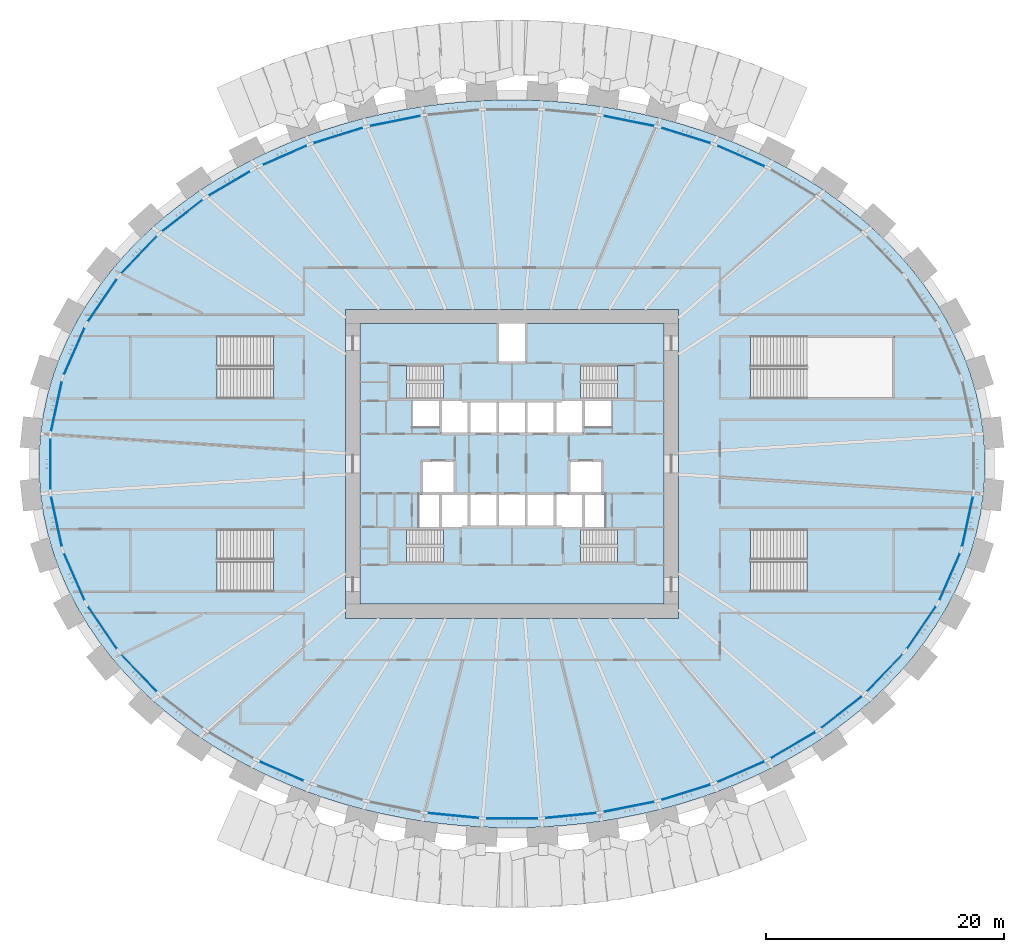
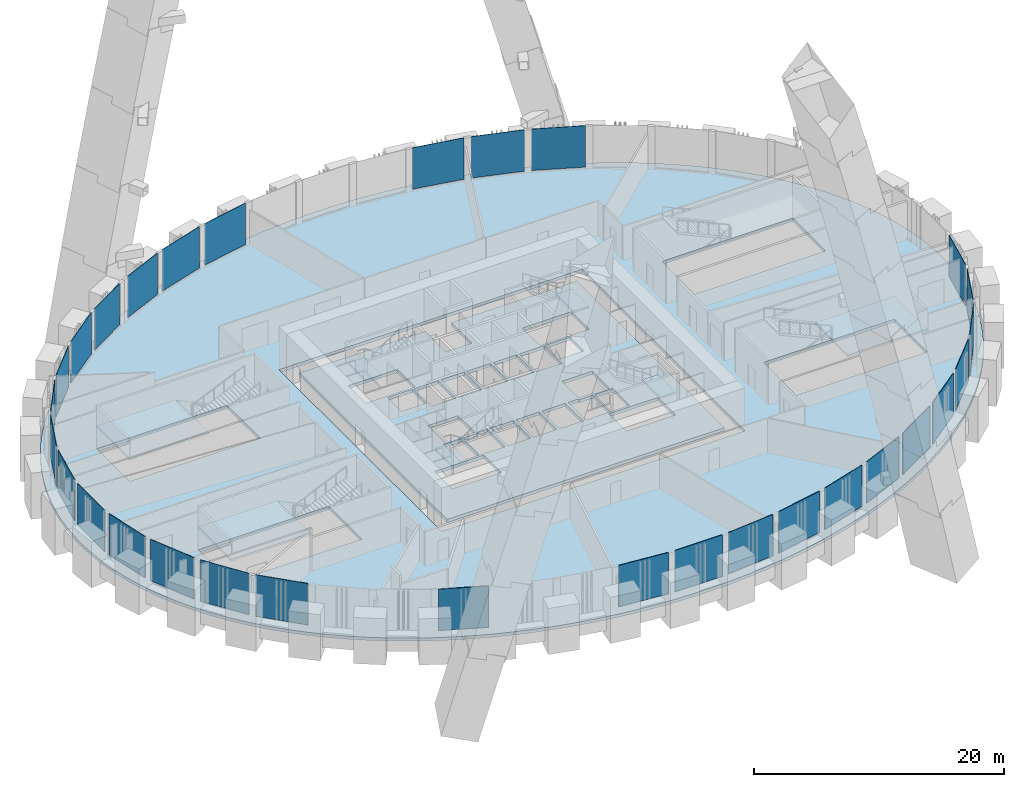
# One storey, part 6 of 23: 30 plates, 9 slabs, 10 elements without a shape of their own.
"""IFC4 building model written with IfcOpenShell, lengths in metres."""

from ifc_helpers import new_model, si_unit, direction, frame, origin, origin_2d, place, context, subcontext, project, spatial, polyline, rectangle, outline, extrude, source, transform, mapped, material, layer, layer_set, type_object, element, aggregate, save


model = new_model("IFC4")

# Units and contexts
model_context = context("Model", 3, precision=1e-05, world=origin(), true_north=direction((0.0, 1.0)))
body_context = subcontext(model_context, "Body", "Model", "MODEL_VIEW")
ifc_project = project(units=[si_unit("LENGTHUNIT", "METRE"), si_unit("AREAUNIT", "SQUARE_METRE"), si_unit("VOLUMEUNIT", "CUBIC_METRE"), si_unit("PLANEANGLEUNIT", "RADIAN"), si_unit("MASSUNIT", "GRAM", prefix="KILO")], contexts=[model_context])

# Site, building, storey
site_placement = place(None, origin())
site = spatial("IfcSite", under=ifc_project, at=site_placement, CompositionType="ELEMENT")
building_placement = place(site_placement, origin())
building = spatial("IfcBuilding", under=site, at=building_placement, Name="Embergate Tower", CompositionType="ELEMENT")
storey_placement = place(building_placement, frame((0.0, 0.0, 29.0)))
storey = spatial("IfcBuildingStorey", under=building, at=storey_placement, Name="L03", CompositionType="ELEMENT", Elevation=29.0)

# Slab
ifc_material_1 = material(Name="Concrete C50", Category="concrete")
ifc_layer_1 = layer(ifc_material_1, 0.300048828125)
ifc_layer_set_1 = layer_set([ifc_layer_1], Name="Concrete C50")
slab_type_1 = type_object("IfcSlabType", Name="Podium floor slab C50 300", PredefinedType="FLOOR", material=ifc_layer_set_1)
shared_shape_1 = source(origin(), body_context, "Body", "SweptSolid", [
    extrude(outline(polyline([(0.0, 0.0), (1.68408203125, 0.0), (3.364990234375, 0.054931640625), (5.048095703125, 0.1640625), (6.72314453125, 0.328857421875), (8.387939453125, 0.5478515625), (10.054931640625, 0.824951171875), (11.705078125, 1.156005859375), (13.3349609375, 1.541015625), (14.968994140625, 1.987060546875), (16.575927734375, 2.487060546875), (18.153076171875, 3.041015625), (19.733154296875, 3.661865234375), (21.275146484375, 4.3359375), (22.776123046875, 5.06298828125), (24.277099609375, 5.864013671875), (25.72705078125, 6.717041015625), (27.1259765625, 7.619873046875), (28.51513671875, 8.60595703125), (29.841064453125, 9.640869140625), (31.10205078125, 10.723876953125), (32.340087890625, 11.89599609375), (33.5009765625, 13.114013671875), (34.5830078125, 14.3740234375), (35.6201171875, 15.72607421875), (36.566162109375, 17.116943359375), (37.41796875, 18.54296875), (38.198974609375, 20.053955078125), (38.875, 21.593994140625), (39.443115234375, 23.159912109375), (39.912109375, 24.785888671875), (40.26611328125, 26.429931640625), (40.5029296875, 28.0859375), (40.623046875, 29.764892578125), (40.623046875, 31.447021484375), (40.5029296875, 33.1259765625), (40.26611328125, 34.781982421875), (39.912109375, 36.426025390625), (39.443115234375, 38.052001953125), (38.875, 39.617919921875), (38.198974609375, 41.157958984375), (37.41796875, 42.6689453125), (36.566162109375, 44.094970703125), (35.6201171875, 45.48583984375), (34.5830078125, 46.837890625), (33.5009765625, 48.097900390625), (32.340087890625, 49.31591796875), (31.10205078125, 50.488037109375), (29.841064453125, 51.571044921875), (28.51513671875, 52.60595703125), (27.1259765625, 53.592041015625), (25.72705078125, 54.494873046875), (24.277099609375, 55.347900390625), (22.776123046875, 56.14892578125), (21.275146484375, 56.8759765625), (19.733154296875, 57.550048828125), (18.153076171875, 58.1708984375), (16.575927734375, 58.724853515625), (14.968994140625, 59.224853515625), (13.3349609375, 59.6708984375), (11.705078125, 60.055908203125), (10.054931640625, 60.386962890625), (8.387939453125, 60.6640625), (6.72314453125, 60.883056640625), (5.048095703125, 61.0478515625), (3.364990234375, 61.156982421875), (1.68408203125, 61.2119140625), (0.0, 61.2119140625), (-1.680908203125, 61.156982421875), (-3.364013671875, 61.0478515625), (-5.0390625, 60.883056640625), (-6.703857421875, 60.6640625), (-8.370849609375, 60.386962890625), (-10.02099609375, 60.055908203125), (-11.65087890625, 59.6708984375), (-13.284912109375, 59.224853515625), (-14.891845703125, 58.724853515625), (-16.468994140625, 58.1708984375), (-18.049072265625, 57.550048828125), (-19.591064453125, 56.8759765625), (-21.092041015625, 56.14892578125), (-22.593017578125, 55.347900390625), (-24.04296875, 54.494873046875), (-25.44189453125, 53.592041015625), (-26.8310546875, 52.60595703125), (-28.156982421875, 51.571044921875), (-29.41796875, 50.488037109375), (-30.656005859375, 49.31591796875), (-31.81689453125, 48.097900390625), (-32.89892578125, 46.837890625), (-33.93603515625, 45.48583984375), (-34.882080078125, 44.094970703125), (-35.73388671875, 42.6689453125), (-36.514892578125, 41.157958984375), (-37.19091796875, 39.617919921875), (-37.759033203125, 38.052001953125), (-38.22802734375, 36.426025390625), (-38.58203125, 34.781982421875), (-38.81884765625, 33.1259765625), (-38.93896484375, 31.447021484375), (-38.93896484375, 29.764892578125), (-38.81884765625, 28.0859375), (-38.58203125, 26.429931640625), (-38.22802734375, 24.785888671875), (-37.759033203125, 23.159912109375), (-37.19091796875, 21.593994140625), (-36.514892578125, 20.053955078125), (-35.73388671875, 18.54296875), (-34.882080078125, 17.116943359375), (-33.93603515625, 15.72607421875), (-32.89892578125, 14.3740234375), (-31.81689453125, 13.114013671875), (-30.656005859375, 11.89599609375), (-29.41796875, 10.723876953125), (-28.156982421875, 9.640869140625), (-26.8310546875, 8.60595703125), (-25.44189453125, 7.619873046875), (-24.04296875, 6.717041015625), (-22.593017578125, 5.864013671875), (-21.092041015625, 5.06298828125), (-19.591064453125, 4.3359375), (-18.049072265625, 3.661865234375), (-16.468994140625, 3.041015625), (-14.891845703125, 2.487060546875), (-13.284912109375, 1.987060546875), (-11.65087890625, 1.541015625), (-10.02099609375, 1.156005859375), (-8.370849609375, 0.824951171875), (-6.703857421875, 0.5478515625), (-5.0390625, 0.328857421875), (-3.364013671875, 0.1640625), (-1.680908203125, 0.054931640625), (0.0, 0.0)]), holes=[polyline([(-13.157958984375, 17.60595703125), (-13.157958984375, 43.60595703125), (14.842041015625, 43.60595703125), (14.842041015625, 17.60595703125), (-13.157958984375, 17.60595703125)]), polyline([(-31.278076171875, 19.85595703125), (-31.278076171875, 25.10595703125), (-19.218017578125, 25.10595703125), (-19.218017578125, 19.85595703125), (-31.278076171875, 19.85595703125)]), polyline([(20.902099609375, 19.85595703125), (20.902099609375, 25.10595703125), (32.962158203125, 25.10595703125), (32.962158203125, 19.85595703125), (20.902099609375, 19.85595703125)]), polyline([(-31.278076171875, 36.10595703125), (-31.278076171875, 41.35595703125), (-19.218017578125, 41.35595703125), (-19.218017578125, 36.10595703125), (-31.278076171875, 36.10595703125)]), polyline([(20.902099609375, 36.10595703125), (20.902099609375, 41.35595703125), (32.962158203125, 41.35595703125), (32.962158203125, 36.10595703125), (20.902099609375, 36.10595703125)])]), origin(), (0.0, 0.0, 1.0), 0.300048828125),
])
slab_1_placement = place(storey_placement, frame((-0.842041015625, -30.60595703125, -0.300048828125)))
element("IfcSlab", 1, at=slab_1_placement, inside=storey, type_object=slab_type_1, Name="SLB-L03-00", PredefinedType="FLOOR", context=body_context, shape_type="MappedRepresentation", body=[
    mapped(shared_shape_1, transform((0.0, 0.0, 0.0))),
])

# Curtain wall, plates
ifc_material_2 = material(Name="Aluminium and glass", Category="aluminium")
curtain_wall_type = type_object("IfcCurtainWallType", Name="Podium base glazing", PredefinedType="NOTDEFINED", material=ifc_material_2)
curtain_wall_1_placement = place(storey_placement, origin())
curtain_wall_1 = element("IfcCurtainWall", 2, at=curtain_wall_1_placement, inside=storey, type_object=curtain_wall_type, Name="Podium base glazing run 2", ObjectType="PODIUM BASE GLAZING", PredefinedType="USERDEFINED")
ifc_material_3 = material(Name="Triple glazing, low-emissivity coating", Category="glass")
ifc_layer_2 = layer(ifc_material_3, 0.0400390625)
ifc_layer_set_2 = layer_set([ifc_layer_2], Name="Triple glazing, low-emissivity coating")
plate_type = type_object("IfcPlateType", Name="Base glazing unit", PredefinedType="CURTAIN_PANEL", material=ifc_layer_set_2)
shared_shape_2 = source(origin(), body_context, "Body", "SweptSolid", [
    extrude(rectangle(XDim=4.30859375, YDim=0.0400390625, at=origin_2d()), origin(), (0.0, 0.0, 1.0), 4.0400390625),
])
plate_1_placement = place(storey_placement, frame((-36.82470703125, 9.48828125, 0.159912109375), z_axis=(0.0, 0.0, 1.0), x_axis=(-0.401644109346, -0.915795833921, 0.0)))
plate_1 = element("IfcPlate", 3, at=plate_1_placement, type_object=plate_type, Name="CW panel 5.1", PredefinedType="CURTAIN_PANEL", context=body_context, shape_type="MappedRepresentation", body=[
    mapped(shared_shape_2, transform((0.0, 0.0, 0.0))),
])
plate_2_placement = place(storey_placement, frame((-36.82470703125, -9.48828125, 0.159912109375), z_axis=(0.0, 0.0, 1.0), x_axis=(0.401644109346, -0.915795833921, 0.0)))
plate_2 = element("IfcPlate", 4, at=plate_2_placement, type_object=plate_type, Name="CW panel 9.1", PredefinedType="CURTAIN_PANEL", context=body_context, shape_type="MappedRepresentation", body=[
    mapped(shared_shape_2, transform((0.0, 0.0, 0.0))),
])

# Curtain wall, plate
curtain_wall_2_placement = place(storey_placement, origin())
curtain_wall_2 = element("IfcCurtainWall", 5, at=curtain_wall_2_placement, inside=storey, type_object=curtain_wall_type, Name="Podium base glazing run 3", ObjectType="PODIUM BASE GLAZING", PredefinedType="USERDEFINED")
plate_3_placement = place(storey_placement, frame((36.82470703125, -9.48828125, 0.159912109375), z_axis=(0.0, 0.0, 1.0), x_axis=(0.401644109346, 0.915795833921, 0.0)))
plate_3 = element("IfcPlate", 6, at=plate_3_placement, type_object=plate_type, Name="CW panel 13.1", PredefinedType="CURTAIN_PANEL", context=body_context, shape_type="MappedRepresentation", body=[
    mapped(shared_shape_2, transform((0.0, 0.0, 0.0))),
])

# Plate
shared_shape_3 = source(origin(), body_context, "Body", "SweptSolid", [
    extrude(rectangle(XDim=4.318115234375, YDim=0.0400390625, at=origin_2d()), origin(), (0.0, 0.0, 1.0), 4.0400390625),
])
plate_4_placement = place(storey_placement, frame((-34.456298828125, 13.769287109375, 0.159912109375), z_axis=(0.0, 0.0, 1.0), x_axis=(-0.562333082556, -0.826910820018, 0.0)))
plate_4 = element("IfcPlate", 7, at=plate_4_placement, type_object=plate_type, Name="CW panel 4.1", PredefinedType="CURTAIN_PANEL", context=body_context, shape_type="MappedRepresentation", body=[
    mapped(shared_shape_3, transform((0.0, 0.0, 0.0))),
])

plate_5_placement = place(storey_placement, frame((-34.456298828125, -13.769287109375, 0.159912109375), z_axis=(0.0, 0.0, 1.0), x_axis=(0.562333082556, -0.826910820018, 0.0)))
plate_5 = element("IfcPlate", 8, at=plate_5_placement, type_object=plate_type, Name="CW panel 10.1", PredefinedType="CURTAIN_PANEL", context=body_context, shape_type="MappedRepresentation", body=[
    mapped(shared_shape_3, transform((0.0, 0.0, 0.0))),
])

plate_6_placement = place(storey_placement, frame((34.456298828125, -13.769287109375, 0.159912109375), z_axis=(0.0, 0.0, 1.0), x_axis=(0.562333082556, 0.826910820018, 0.0)))
plate_6 = element("IfcPlate", 9, at=plate_6_placement, type_object=plate_type, Name="CW panel 12.1", PredefinedType="CURTAIN_PANEL", context=body_context, shape_type="MappedRepresentation", body=[
    mapped(shared_shape_3, transform((0.0, 0.0, 0.0))),
])

shared_shape_4 = source(origin(), body_context, "Body", "SweptSolid", [
    extrude(rectangle(XDim=4.327392578125, YDim=0.0400390625, at=origin_2d()), origin(), (0.0, 0.0, 1.0), 4.0400390625),
])
plate_7_placement = place(storey_placement, frame((-31.373046875, 17.585693359375, 0.159912109375), z_axis=(0.0, 0.0, 1.0), x_axis=(-0.690124942972, -0.723690239735, 0.0)))
plate_7 = element("IfcPlate", 10, at=plate_7_placement, type_object=plate_type, Name="CW panel 3.1", PredefinedType="CURTAIN_PANEL", context=body_context, shape_type="MappedRepresentation", body=[
    mapped(shared_shape_4, transform((0.0, 0.0, 0.0))),
])

plate_8_placement = place(storey_placement, frame((-31.373046875, -17.585693359375, 0.159912109375), z_axis=(0.0, 0.0, 1.0), x_axis=(0.690124942972, -0.723690239735, 0.0)))
plate_8 = element("IfcPlate", 11, at=plate_8_placement, type_object=plate_type, Name="CW panel 11.1", PredefinedType="CURTAIN_PANEL", context=body_context, shape_type="MappedRepresentation", body=[
    mapped(shared_shape_4, transform((0.0, 0.0, 0.0))),
])

plate_9_placement = place(storey_placement, frame((31.373046875, -17.585693359375, 0.159912109375), z_axis=(0.0, 0.0, 1.0), x_axis=(0.690124942972, 0.723690239735, 0.0)))
plate_9 = element("IfcPlate", 12, at=plate_9_placement, type_object=plate_type, Name="CW panel 11.1", PredefinedType="CURTAIN_PANEL", context=body_context, shape_type="MappedRepresentation", body=[
    mapped(shared_shape_4, transform((0.0, 0.0, 0.0))),
])

shared_shape_5 = source(origin(), body_context, "Body", "SweptSolid", [
    extrude(rectangle(XDim=4.33544921875, YDim=0.0400390625, at=origin_2d()), origin(), (0.0, 0.0, 1.0), 4.0400390625),
])
plate_10_placement = place(storey_placement, frame((-27.7275390625, 20.88720703125, 0.159912109375), z_axis=(0.0, 0.0, 1.0), x_axis=(-0.788312602312, -0.615274931259, 0.0)))
plate_10 = element("IfcPlate", 13, at=plate_10_placement, type_object=plate_type, Name="CW panel 2.1", PredefinedType="CURTAIN_PANEL", context=body_context, shape_type="MappedRepresentation", body=[
    mapped(shared_shape_5, transform((0.0, 0.0, 0.0))),
])

plate_11_placement = place(storey_placement, frame((27.7275390625, -20.88720703125, 0.159912109375), z_axis=(0.0, 0.0, 1.0), x_axis=(0.788312602312, 0.615274931259, 0.0)))
plate_11 = element("IfcPlate", 14, at=plate_11_placement, type_object=plate_type, Name="CW panel 10.1", PredefinedType="CURTAIN_PANEL", context=body_context, shape_type="MappedRepresentation", body=[
    mapped(shared_shape_5, transform((0.0, 0.0, 0.0))),
])

shared_shape_6 = source(origin(), body_context, "Body", "SweptSolid", [
    extrude(rectangle(XDim=4.341796875, YDim=0.0400390625, at=origin_2d()), origin(), (0.0, 0.0, 1.0), 4.0400390625),
])
plate_12_placement = place(storey_placement, frame((23.652099609375, -23.65771484375, 0.159912109375), z_axis=(0.0, 0.0, 1.0), x_axis=(0.862046975799, 0.506828384679, 0.0)))
plate_12 = element("IfcPlate", 15, at=plate_12_placement, type_object=plate_type, Name="CW panel 9.1", PredefinedType="CURTAIN_PANEL", context=body_context, shape_type="MappedRepresentation", body=[
    mapped(shared_shape_6, transform((0.0, 0.0, 0.0))),
])

# Curtain wall, plate
curtain_wall_3_placement = place(storey_placement, origin())
curtain_wall_3 = element("IfcCurtainWall", 16, at=curtain_wall_3_placement, inside=storey, type_object=curtain_wall_type, Name="Podium base glazing run 1", ObjectType="PODIUM BASE GLAZING", PredefinedType="USERDEFINED")
shared_shape_7 = source(origin(), body_context, "Body", "SweptSolid", [
    extrude(rectangle(XDim=4.3466796875, YDim=0.0400390625, at=origin_2d()), origin(), (0.0, 0.0, 1.0), 4.0400390625),
])
plate_13_placement = place(storey_placement, frame((19.255859375, 25.901123046875, 0.159912109375), z_axis=(0.0, 0.0, 1.0), x_axis=(-0.916232016214, 0.400648090553, 0.0)))
plate_13 = element("IfcPlate", 17, at=plate_13_placement, type_object=plate_type, Name="CW panel 7.1", PredefinedType="CURTAIN_PANEL", context=body_context, shape_type="MappedRepresentation", body=[
    mapped(shared_shape_7, transform((0.0, 0.0, 0.0))),
])

# Plate
plate_14_placement = place(storey_placement, frame((19.255859375, -25.901123046875, 0.159912109375), z_axis=(0.0, 0.0, 1.0), x_axis=(0.916232016214, 0.400648090553, 0.0)))
plate_14 = element("IfcPlate", 18, at=plate_14_placement, type_object=plate_type, Name="CW panel 8.1", PredefinedType="CURTAIN_PANEL", context=body_context, shape_type="MappedRepresentation", body=[
    mapped(shared_shape_7, transform((0.0, 0.0, 0.0))),
])

shared_shape_8 = source(origin(), body_context, "Body", "SweptSolid", [
    extrude(rectangle(XDim=4.350341796875, YDim=0.0400390625, at=origin_2d()), origin(), (0.0, 0.0, 1.0), 4.0400390625),
])
plate_15_placement = place(storey_placement, frame((14.62646484375, 27.6279296875, 0.159912109375), z_axis=(0.0, 0.0, 1.0), x_axis=(-0.954769622373, 0.297346545624, 0.0)))
plate_15 = element("IfcPlate", 19, at=plate_15_placement, type_object=plate_type, Name="CW panel 8.1", PredefinedType="CURTAIN_PANEL", context=body_context, shape_type="MappedRepresentation", body=[
    mapped(shared_shape_8, transform((0.0, 0.0, 0.0))),
])

plate_16_placement = place(storey_placement, frame((-14.62646484375, 27.6279296875, 0.159912109375), z_axis=(0.0, 0.0, 1.0), x_axis=(-0.954769622373, -0.297346545624, 0.0)))
plate_16 = element("IfcPlate", 20, at=plate_16_placement, type_object=plate_type, Name="CW panel 14.1", PredefinedType="CURTAIN_PANEL", context=body_context, shape_type="MappedRepresentation", body=[
    mapped(shared_shape_8, transform((0.0, 0.0, 0.0))),
])

plate_17_placement = place(storey_placement, frame((14.62646484375, -27.6279296875, 0.159912109375), z_axis=(0.0, 0.0, 1.0), x_axis=(0.954769622373, 0.297346545624, 0.0)))
plate_17 = element("IfcPlate", 21, at=plate_17_placement, type_object=plate_type, Name="CW panel 7.1", PredefinedType="CURTAIN_PANEL", context=body_context, shape_type="MappedRepresentation", body=[
    mapped(shared_shape_8, transform((0.0, 0.0, 0.0))),
])

shared_shape_9 = source(origin(), body_context, "Body", "SweptSolid", [
    extrude(rectangle(XDim=4.3525390625, YDim=0.0400390625, at=origin_2d()), origin(), (0.0, 0.0, 1.0), 4.0400390625),
])
plate_18_placement = place(storey_placement, frame((9.83544921875, 28.850830078125, 0.159912109375), z_axis=(0.0, 0.0, 1.0), x_axis=(-0.980474877795, 0.196644384646, 0.0)))
plate_18 = element("IfcPlate", 22, at=plate_18_placement, type_object=plate_type, Name="CW panel 9.1", PredefinedType="CURTAIN_PANEL", context=body_context, shape_type="MappedRepresentation", body=[
    mapped(shared_shape_9, transform((0.0, 0.0, 0.0))),
])

plate_19_placement = place(storey_placement, frame((-9.83544921875, 28.850830078125, 0.159912109375), z_axis=(0.0, 0.0, 1.0), x_axis=(-0.980474877795, -0.196644384646, 0.0)))
plate_19 = element("IfcPlate", 23, at=plate_19_placement, type_object=plate_type, Name="CW panel 13.1", PredefinedType="CURTAIN_PANEL", context=body_context, shape_type="MappedRepresentation", body=[
    mapped(shared_shape_9, transform((0.0, 0.0, 0.0))),
])

plate_20_placement = place(storey_placement, frame((9.83544921875, -28.850830078125, 0.159912109375), z_axis=(0.0, 0.0, 1.0), x_axis=(0.980474877795, 0.196644384646, 0.0)))
plate_20 = element("IfcPlate", 24, at=plate_20_placement, type_object=plate_type, Name="CW panel 6.1", PredefinedType="CURTAIN_PANEL", context=body_context, shape_type="MappedRepresentation", body=[
    mapped(shared_shape_9, transform((0.0, 0.0, 0.0))),
])

shared_shape_10 = source(origin(), body_context, "Body", "SweptSolid", [
    extrude(rectangle(XDim=4.35400390625, YDim=0.0400390625, at=origin_2d()), origin(), (0.0, 0.0, 1.0), 4.0400390625),
])
plate_21_placement = place(storey_placement, frame((-4.9423828125, -29.580078125, 0.159912109375), z_axis=(0.0, 0.0, 1.0), x_axis=(0.995203014042, -0.097831287645, 0.0)))
plate_21 = element("IfcPlate", 25, at=plate_21_placement, type_object=plate_type, Name="CW panel 3.1", PredefinedType="CURTAIN_PANEL", context=body_context, shape_type="MappedRepresentation", body=[
    mapped(shared_shape_10, transform((0.0, 0.0, 0.0))),
])

plate_22_placement = place(storey_placement, frame((4.9423828125, -29.580078125, 0.159912109375), z_axis=(0.0, 0.0, 1.0), x_axis=(0.995203014042, 0.097831287645, 0.0)))
plate_22 = element("IfcPlate", 26, at=plate_22_placement, type_object=plate_type, Name="CW panel 5.1", PredefinedType="CURTAIN_PANEL", context=body_context, shape_type="MappedRepresentation", body=[
    mapped(shared_shape_10, transform((0.0, 0.0, 0.0))),
])

shared_shape_11 = source(origin(), body_context, "Body", "SweptSolid", [
    extrude(rectangle(XDim=4.3544921875, YDim=0.0400390625, at=origin_2d()), origin(), (0.0, 0.0, 1.0), 4.0400390625),
])
plate_23_placement = place(storey_placement, frame((0.0, -29.822509765625, 0.159912109375), z_axis=(0.0, 0.0, 1.0), x_axis=(1.0, 0.0, 0.0)))
plate_23 = element("IfcPlate", 27, at=plate_23_placement, type_object=plate_type, Name="CW panel 4.1", PredefinedType="CURTAIN_PANEL", context=body_context, shape_type="MappedRepresentation", body=[
    mapped(shared_shape_11, transform((0.0, 0.0, 0.0))),
])

shared_shape_12 = source(origin(), body_context, "Body", "SweptSolid", [
    extrude(rectangle(XDim=4.046630859375, YDim=0.0400390625, at=origin_2d()), origin(), (0.0, 0.0, 1.0), 4.0400390625),
])
plate_24_placement = place(storey_placement, frame((-19.118408203125, 25.961181640625, 0.159912109375), z_axis=(0.0, 0.0, 1.0), x_axis=(-0.916232016214, -0.400648090553, 0.0)))
plate_24 = element("IfcPlate", 28, at=plate_24_placement, type_object=plate_type, Name="CW panel 15.1", PredefinedType="CURTAIN_PANEL", context=body_context, shape_type="MappedRepresentation", body=[
    mapped(shared_shape_12, transform((0.0, 0.0, 0.0))),
])

aggregate(curtain_wall_3, [plate_13, plate_15, plate_18, plate_19, plate_16, plate_24])

plate_25_placement = place(storey_placement, frame((-19.393310546875, -25.841064453125, 0.159912109375), z_axis=(0.0, 0.0, 1.0), x_axis=(0.916232016214, -0.400648090553, 0.0)))
plate_25 = element("IfcPlate", 29, at=plate_25_placement, type_object=plate_type, Name="CW panel 14.1", PredefinedType="CURTAIN_PANEL", context=body_context, shape_type="MappedRepresentation", body=[
    mapped(shared_shape_12, transform((0.0, 0.0, 0.0))),
])

shared_shape_13 = source(origin(), body_context, "Body", "SweptSolid", [
    extrude(rectangle(XDim=4.0419921875, YDim=0.0400390625, at=origin_2d()), origin(), (0.0, 0.0, 1.0), 4.0400390625),
])
plate_26_placement = place(storey_placement, frame((-23.781494140625, 23.581787109375, 0.159912109375), z_axis=(0.0, 0.0, 1.0), x_axis=(-0.862046975799, -0.506828384679, 0.0)))
plate_26 = element("IfcPlate", 30, at=plate_26_placement, type_object=plate_type, Name="CW panel 1.1", PredefinedType="CURTAIN_PANEL", context=body_context, shape_type="MappedRepresentation", body=[
    mapped(shared_shape_13, transform((0.0, 0.0, 0.0))),
])

shared_shape_14 = source(origin(), body_context, "Body", "SweptSolid", [
    extrude(rectangle(XDim=4.30126953125, YDim=0.0400390625, at=origin_2d()), origin(), (0.0, 0.0, 1.0), 4.0400390625),
])
plate_27_placement = place(storey_placement, frame((-38.326171875, 4.844970703125, 0.159912109375), z_axis=(0.0, 0.0, 1.0), x_axis=(-0.21039327239, -0.97761683237, 0.0)))
plate_27 = element("IfcPlate", 31, at=plate_27_placement, type_object=plate_type, Name="CW panel 6.1", PredefinedType="CURTAIN_PANEL", context=body_context, shape_type="MappedRepresentation", body=[
    mapped(shared_shape_14, transform((0.0, 0.0, 0.0))),
])

plate_28_placement = place(storey_placement, frame((-38.326171875, -4.844970703125, 0.159912109375), z_axis=(0.0, 0.0, 1.0), x_axis=(0.21039327239, -0.97761683237, 0.0)))
plate_28 = element("IfcPlate", 32, at=plate_28_placement, type_object=plate_type, Name="CW panel 8.1", PredefinedType="CURTAIN_PANEL", context=body_context, shape_type="MappedRepresentation", body=[
    mapped(shared_shape_14, transform((0.0, 0.0, 0.0))),
])

plate_29_placement = place(storey_placement, frame((38.326171875, -4.844970703125, 0.159912109375), z_axis=(0.0, 0.0, 1.0), x_axis=(0.21039327239, 0.97761683237, 0.0)))
plate_29 = element("IfcPlate", 33, at=plate_29_placement, type_object=plate_type, Name="CW panel 14.1", PredefinedType="CURTAIN_PANEL", context=body_context, shape_type="MappedRepresentation", body=[
    mapped(shared_shape_14, transform((0.0, 0.0, 0.0))),
])

aggregate(curtain_wall_2, [plate_21, plate_23, plate_22, plate_20, plate_17, plate_14, plate_12, plate_11, plate_9, plate_6, plate_3, plate_29])

shared_shape_15 = source(origin(), body_context, "Body", "SweptSolid", [
    extrude(rectangle(XDim=4.29833984375, YDim=0.0400390625, at=origin_2d()), origin(), (0.0, 0.0, 1.0), 4.0400390625),
])
plate_30_placement = place(storey_placement, frame((-38.841796875, 0.0, 0.159912109375), z_axis=(0.0, 0.0, 1.0), x_axis=(0.0, -1.0, 0.0)))
plate_30 = element("IfcPlate", 34, at=plate_30_placement, type_object=plate_type, Name="CW panel 7.1", PredefinedType="CURTAIN_PANEL", context=body_context, shape_type="MappedRepresentation", body=[
    mapped(shared_shape_15, transform((0.0, 0.0, 0.0))),
])

aggregate(curtain_wall_1, [plate_26, plate_10, plate_7, plate_4, plate_1, plate_27, plate_30, plate_28, plate_2, plate_5, plate_8, plate_25])

# Stair, slab
ifc_material_4 = material(Name="Exit stair")
stair_type_1 = type_object("IfcStairType", Name="Exit stair", PredefinedType="HALF_TURN_STAIR", material=ifc_material_4)
stair_1_placement = place(storey_placement, origin())
stair_1 = element("IfcStair", 35, at=stair_1_placement, inside=storey, type_object=stair_type_1, Name="L03 Exit stair 1", PredefinedType="HALF_TURN_STAIR")
ifc_material_5 = material(Name="Concrete C40", Category="concrete")
ifc_layer_3 = layer(ifc_material_5, 0.199951171875)
ifc_layer_set_3 = layer_set([ifc_layer_3], Name="Concrete C40")
slab_type_2 = type_object("IfcSlabType", Name="Stair landing reinforced concrete", PredefinedType="LANDING", material=ifc_layer_set_3)
shared_shape_16 = source(origin(), body_context, "Body", "SweptSolid", [
    extrude(outline(polyline([(0.0, 0.0), (1.429931640625, 0.0), (1.429931640625, 2.800048828125), (0.0, 2.800048828125), (0.0, 0.0)])), origin(), (0.0, 0.0, 1.0), 0.199951171875),
])
slab_2_placement = place(storey_placement, frame((-10.300048828125, 5.5, 2.050048828125)))
slab_2 = element("IfcSlab", 36, at=slab_2_placement, type_object=slab_type_2, Name="ST1 landing 1", PredefinedType="LANDING", context=body_context, shape_type="MappedRepresentation", body=[
    mapped(shared_shape_16, transform((0.0, 0.0, 0.0))),
])
aggregate(stair_1, [slab_2])

stair_2_placement = place(storey_placement, origin())
stair_2 = element("IfcStair", 37, at=stair_2_placement, inside=storey, type_object=stair_type_1, Name="L03 Exit stair 2", PredefinedType="HALF_TURN_STAIR")
slab_3_placement = place(storey_placement, frame((8.8701171875, 5.5, 2.050048828125)))
slab_3 = element("IfcSlab", 38, at=slab_3_placement, type_object=slab_type_2, Name="ST2 landing 1", PredefinedType="LANDING", context=body_context, shape_type="MappedRepresentation", body=[
    mapped(shared_shape_16, transform((0.0, 0.0, 0.0))),
])
aggregate(stair_2, [slab_3])

stair_3_placement = place(storey_placement, origin())
stair_3 = element("IfcStair", 39, at=stair_3_placement, inside=storey, type_object=stair_type_1, Name="L03 Exit stair 3", PredefinedType="HALF_TURN_STAIR")
slab_4_placement = place(storey_placement, frame((-10.300048828125, -8.300048828125, 2.050048828125)))
slab_4 = element("IfcSlab", 40, at=slab_4_placement, type_object=slab_type_2, Name="ST3 landing 1", PredefinedType="LANDING", context=body_context, shape_type="MappedRepresentation", body=[
    mapped(shared_shape_16, transform((0.0, 0.0, 0.0))),
])
aggregate(stair_3, [slab_4])

stair_4_placement = place(storey_placement, origin())
stair_4 = element("IfcStair", 41, at=stair_4_placement, inside=storey, type_object=stair_type_1, Name="L03 Exit stair 4", PredefinedType="HALF_TURN_STAIR")
slab_5_placement = place(storey_placement, frame((8.8701171875, -8.300048828125, 2.050048828125)))
slab_5 = element("IfcSlab", 42, at=slab_5_placement, type_object=slab_type_2, Name="ST4 landing 1", PredefinedType="LANDING", context=body_context, shape_type="MappedRepresentation", body=[
    mapped(shared_shape_16, transform((0.0, 0.0, 0.0))),
])
aggregate(stair_4, [slab_5])

# Slab
ifc_layer_4 = layer(ifc_material_5, 0.300048828125)
ifc_layer_set_4 = layer_set([ifc_layer_4], Name="Concrete C40")
slab_type_3 = type_object("IfcSlabType", Name="Core floor slab 300 reinforced concrete", PredefinedType="FLOOR", material=ifc_layer_set_4)
shared_shape_17 = source(origin(), body_context, "Body", "SweptSolid", [
    extrude(outline(polyline([(0.0, 0.0), (25.60009765625, 0.0), (25.60009765625, 23.60009765625), (14.0, 23.60009765625), (14.0, 20.300048828125), (11.60009765625, 20.300048828125), (11.60009765625, 23.60009765625), (0.0, 23.60009765625), (0.0, 0.0)]), holes=[polyline([(2.5, 3.5), (2.5, 6.300048828125), (7.0400390625, 6.300048828125), (7.0400390625, 3.5), (2.5, 3.5)]), polyline([(18.56005859375, 3.5), (18.56005859375, 6.300048828125), (23.10009765625, 6.300048828125), (23.10009765625, 3.5), (18.56005859375, 3.5)]), polyline([(5.0, 6.5), (5.0, 9.300048828125), (5.074951171875, 9.300048828125), (5.074951171875, 9.175048828125), (6.675048828125, 9.175048828125), (6.675048828125, 6.5), (5.0, 6.5)]), polyline([(6.800048828125, 6.5), (6.800048828125, 9.175048828125), (8.125, 9.175048828125), (8.125, 9.300048828125), (9.074951171875, 9.300048828125), (9.074951171875, 6.5), (6.800048828125, 6.5)]), polyline([(9.324951171875, 6.5), (9.324951171875, 9.300048828125), (11.47509765625, 9.300048828125), (11.47509765625, 6.5), (9.324951171875, 6.5)]), polyline([(11.72509765625, 6.5), (11.72509765625, 9.300048828125), (13.875, 9.300048828125), (13.875, 6.5), (11.72509765625, 6.5)]), polyline([(14.125, 6.5), (14.125, 9.300048828125), (16.275146484375, 9.300048828125), (16.275146484375, 6.5), (14.125, 6.5)]), polyline([(16.525146484375, 6.5), (16.525146484375, 9.300048828125), (17.47509765625, 9.300048828125), (17.47509765625, 9.175048828125), (18.800048828125, 9.175048828125), (18.800048828125, 6.5), (16.525146484375, 6.5)]), polyline([(18.925048828125, 6.5), (18.925048828125, 9.175048828125), (20.525146484375, 9.175048828125), (20.525146484375, 9.300048828125), (20.60009765625, 9.300048828125), (20.60009765625, 6.5), (18.925048828125, 6.5)]), polyline([(5.199951171875, 9.300048828125), (5.199951171875, 12.10009765625), (8.0, 12.10009765625), (8.0, 9.425048828125), (6.675048828125, 9.425048828125), (6.675048828125, 9.300048828125), (5.199951171875, 9.300048828125)]), polyline([(18.925048828125, 9.300048828125), (18.925048828125, 9.425048828125), (17.60009765625, 9.425048828125), (17.60009765625, 12.10009765625), (20.400146484375, 12.10009765625), (20.400146484375, 9.300048828125), (18.925048828125, 9.300048828125)]), polyline([(6.800048828125, 14.300048828125), (6.800048828125, 17.10009765625), (9.074951171875, 17.10009765625), (9.074951171875, 14.300048828125), (6.800048828125, 14.300048828125)]), polyline([(9.324951171875, 14.300048828125), (9.324951171875, 17.10009765625), (11.47509765625, 17.10009765625), (11.47509765625, 14.300048828125), (9.324951171875, 14.300048828125)]), polyline([(11.72509765625, 14.300048828125), (11.72509765625, 17.10009765625), (13.875, 17.10009765625), (13.875, 14.300048828125), (11.72509765625, 14.300048828125)]), polyline([(14.125, 14.300048828125), (14.125, 17.10009765625), (16.275146484375, 17.10009765625), (16.275146484375, 14.300048828125), (14.125, 14.300048828125)]), polyline([(16.525146484375, 14.300048828125), (16.525146484375, 17.10009765625), (18.800048828125, 17.10009765625), (18.800048828125, 14.300048828125), (16.525146484375, 14.300048828125)]), polyline([(4.400146484375, 14.900146484375), (4.400146484375, 17.10009765625), (6.675048828125, 17.10009765625), (6.675048828125, 14.900146484375), (4.400146484375, 14.900146484375)]), polyline([(18.925048828125, 14.900146484375), (18.925048828125, 17.10009765625), (21.199951171875, 17.10009765625), (21.199951171875, 14.900146484375), (18.925048828125, 14.900146484375)]), polyline([(2.5, 17.300048828125), (2.5, 20.10009765625), (7.0400390625, 20.10009765625), (7.0400390625, 17.300048828125), (2.5, 17.300048828125)]), polyline([(18.56005859375, 17.300048828125), (18.56005859375, 20.10009765625), (23.10009765625, 20.10009765625), (23.10009765625, 17.300048828125), (18.56005859375, 17.300048828125)])]), origin(), (0.0, 0.0, 1.0), 0.300048828125),
])
slab_6_placement = place(storey_placement, frame((-12.800048828125, -11.800048828125, -0.300048828125)))
element("IfcSlab", 43, at=slab_6_placement, inside=storey, type_object=slab_type_3, Name="Core floor slab", PredefinedType="FLOOR", context=body_context, shape_type="MappedRepresentation", body=[
    mapped(shared_shape_17, transform((0.0, 0.0, 0.0))),
])

# Stair, slab
stair_type_2 = type_object("IfcStairType", Name="Podium exit stair RC", PredefinedType="HALF_TURN_STAIR", material=ifc_material_5)
stair_5_placement = place(storey_placement, origin())
stair_5 = element("IfcStair", 44, at=stair_5_placement, inside=storey, type_object=stair_type_2, Name="L03 Podium exit stair 2", PredefinedType="HALF_TURN_STAIR")
ifc_layer_5 = layer(ifc_material_5, 0.199951171875)
ifc_layer_set_5 = layer_set([ifc_layer_5], Name="Concrete C40")
slab_type_4 = type_object("IfcSlabType", Name="Podium exit stair landing RC", PredefinedType="LANDING", material=ifc_layer_set_5)
shared_shape_18 = source(origin(), body_context, "Body", "SweptSolid", [
    extrude(outline(polyline([(0.0, 0.0), (7.31005859375, 0.0), (7.31005859375, 5.25), (0.0, 5.25), (0.0, 0.0)])), origin(), (0.0, 0.0, 1.0), 0.199951171875),
])
slab_7_placement = place(storey_placement, frame((24.81005859375, -10.75, 2.050048828125)))
slab_7 = element("IfcSlab", 45, at=slab_7_placement, type_object=slab_type_4, Name="P2 landing 1", PredefinedType="LANDING", context=body_context, shape_type="MappedRepresentation", body=[
    mapped(shared_shape_18, transform((0.0, 0.0, 0.0))),
])
aggregate(stair_5, [slab_7])

stair_6_placement = place(storey_placement, origin())
stair_6 = element("IfcStair", 46, at=stair_6_placement, inside=storey, type_object=stair_type_2, Name="L03 Podium exit stair 3", PredefinedType="HALF_TURN_STAIR")
slab_8_placement = place(storey_placement, frame((-32.1201171875, 5.5, 2.050048828125)))
slab_8 = element("IfcSlab", 47, at=slab_8_placement, type_object=slab_type_4, Name="P3 landing 1", PredefinedType="LANDING", context=body_context, shape_type="MappedRepresentation", body=[
    mapped(shared_shape_18, transform((0.0, 0.0, 0.0))),
])
aggregate(stair_6, [slab_8])

stair_7_placement = place(storey_placement, origin())
stair_7 = element("IfcStair", 48, at=stair_7_placement, inside=storey, type_object=stair_type_2, Name="L03 Podium exit stair 4", PredefinedType="HALF_TURN_STAIR")
slab_9_placement = place(storey_placement, frame((-32.1201171875, -10.75, 2.050048828125)))
slab_9 = element("IfcSlab", 49, at=slab_9_placement, type_object=slab_type_4, Name="P4 landing 1", PredefinedType="LANDING", context=body_context, shape_type="MappedRepresentation", body=[
    mapped(shared_shape_18, transform((0.0, 0.0, 0.0))),
])
aggregate(stair_7, [slab_9])

save(model, "model.ifc")
